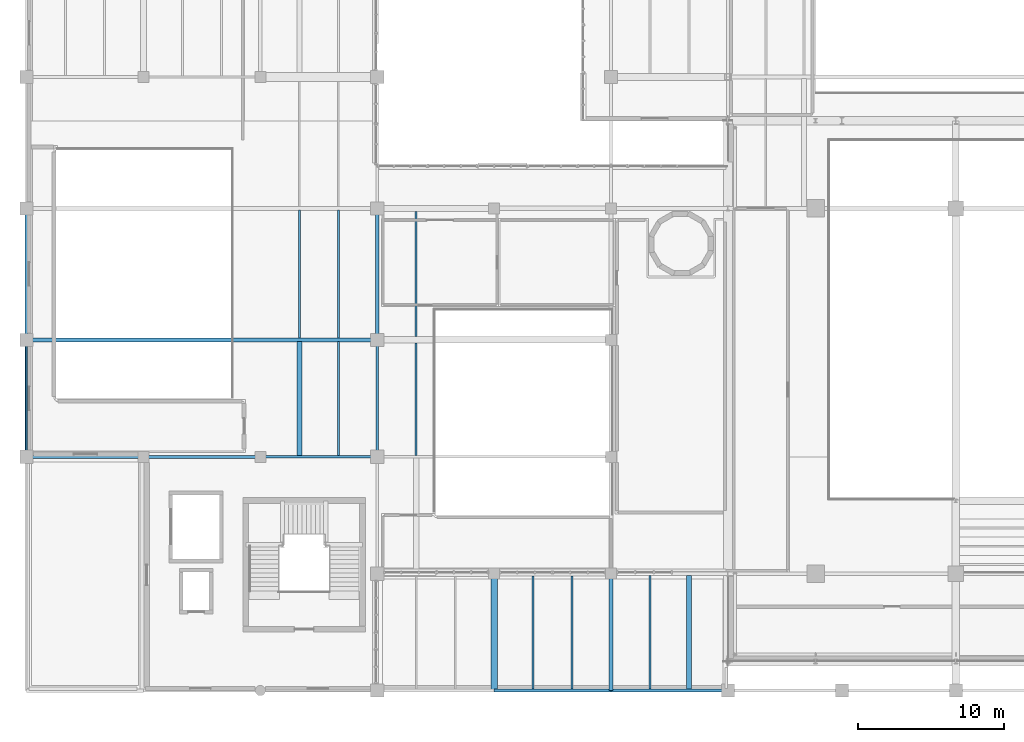
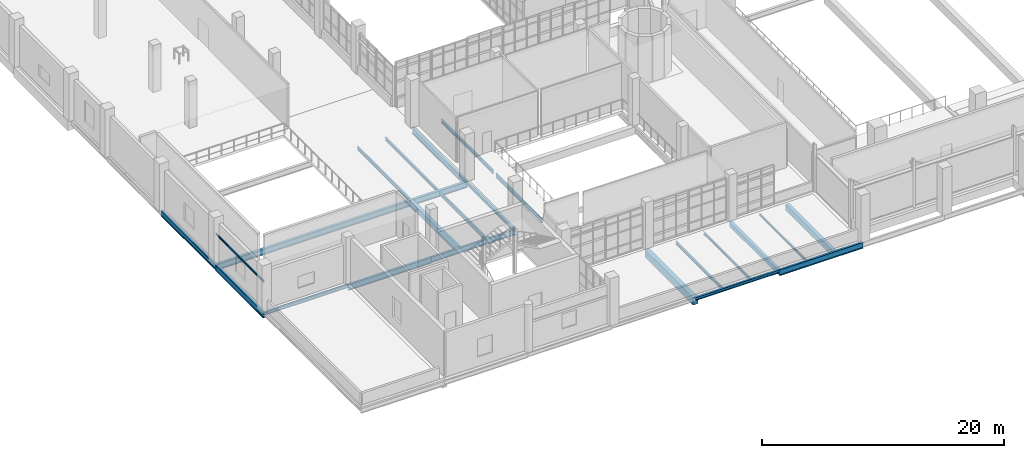
# One storey, part 16 of 102: 23 beams.
"""IFC4 building model written with IfcOpenShell, lengths in metres."""

from ifc_helpers import new_model, si_unit, derived_unit, direction, frame, origin, origin_2d, place, context, subcontext, project, spatial, rectangle, i_section, extrude, material, material_profile, profile_set, type_object, element, save


model = new_model("IFC4")

# Units and contexts
model_context = context("Model", 3, precision=1e-05, world=origin(), true_north=direction((0.0, 1.0)))
body_context = subcontext(model_context, "Body", "Model", "MODEL_VIEW")
ifc_project = project(units=[si_unit("LENGTHUNIT", "METRE"), si_unit("AREAUNIT", "SQUARE_METRE"), si_unit("VOLUMEUNIT", "CUBIC_METRE"), si_unit("PLANEANGLEUNIT", "RADIAN"), si_unit("MASSUNIT", "GRAM", prefix="KILO"), derived_unit("THERMALTRANSMITTANCEUNIT", [(si_unit("POWERUNIT", "WATT"), 1), (si_unit("LENGTHUNIT", "METRE"), -2), (si_unit("THERMODYNAMICTEMPERATUREUNIT", "KELVIN"), -1)])], contexts=[model_context])

# Site, building, storey
site_placement = place(None, origin())
site = spatial("IfcSite", under=ifc_project, at=site_placement, CompositionType="ELEMENT")
building_placement = place(site_placement, origin())
building = spatial("IfcBuilding", under=site, at=building_placement, Name="Nallur Shell Playhouse", CompositionType="ELEMENT")
storey_placement = place(building_placement, frame((0.0, 0.0, 15.0)))
storey = spatial("IfcBuildingStorey", under=building, at=storey_placement, Name="L04", CompositionType="ELEMENT", Elevation=15.0)

# Beams
ifc_material_1 = material(Name="Steel E250", Category="steel")
ifc_material_profile_1 = material_profile(ifc_material_1, i_section(OverallWidth=0.110107421875, OverallDepth=0.22509765625, WebThickness=0.006591796875, FlangeThickness=0.01171875, FilletRadius=0.011962890625, at=origin_2d()), Name="ISMB 225")
ifc_profile_set_1 = profile_set([ifc_material_profile_1], Name="Steel E250")
beam_type_1 = type_object("IfcBeamType", Name="BM-JST-ISMB225", PredefinedType="JOIST", material=ifc_profile_set_1)
beam_1_placement = place(storey_placement, frame((58.666748046875, 8.10302734375, -0.37255859375), z_axis=(0.0, 1.0, 0.0), x_axis=(-1.0, 0.0, 0.0)))
element("IfcBeam", 1, at=beam_1_placement, inside=storey, type_object=beam_type_1, Name="L04 secondary joist 7-A-905", PredefinedType="JOIST", context=body_context, shape_type="SweptSolid", body=[
    extrude(i_section(OverallWidth=0.110107421875, OverallDepth=0.22509765625, WebThickness=0.006591796875, FlangeThickness=0.01171875, FilletRadius=0.011962890625, at=origin_2d()), origin(), (0.0, 0.0, 1.0), 7.77392578125),
])
ifc_material_profile_2 = material_profile(ifc_material_1, i_section(OverallWidth=0.125, OverallDepth=0.25, WebThickness=0.0068359375, FlangeThickness=0.012451171875, FilletRadius=0.012939453125, at=origin_2d()), Name="ISMB 250")
ifc_profile_set_2 = profile_set([ifc_material_profile_2], Name="Steel E250")
beam_type_2 = type_object("IfcBeamType", Name="BM-JST-ISMB250", PredefinedType="JOIST", material=ifc_profile_set_2)
beam_2_placement = place(storey_placement, frame((53.333251953125, 8.097900390625, -0.385009765625), z_axis=(0.0, 1.0, 0.0), x_axis=(-1.0, 0.0, 0.0)))
element("IfcBeam", 2, at=beam_2_placement, inside=storey, type_object=beam_type_2, Name="L04 secondary joist 6-A-904", PredefinedType="JOIST", context=body_context, shape_type="SweptSolid", body=[
    extrude(i_section(OverallWidth=0.125, OverallDepth=0.25, WebThickness=0.0068359375, FlangeThickness=0.012451171875, FilletRadius=0.012939453125, at=origin_2d()), origin(), (0.0, 0.0, 1.0), 7.754150390625),
])
ifc_material_profile_3 = material_profile(ifc_material_1, i_section(OverallWidth=0.139892578125, OverallDepth=0.300048828125, WebThickness=0.0078125, FlangeThickness=0.01318359375, FilletRadius=0.013916015625, at=origin_2d()), Name="ISMB 300")
ifc_profile_set_3 = profile_set([ifc_material_profile_3], Name="Steel E250")
beam_type_3 = type_object("IfcBeamType", Name="BM-JST-ISMB300", PredefinedType="JOIST", material=ifc_profile_set_3)
beam_3_placement = place(storey_placement, frame((37.333251953125, 32.123046875, -0.409912109375), z_axis=(0.0, 1.0, 0.0), x_axis=(-1.0, 0.0, 0.0)))
element("IfcBeam", 3, at=beam_3_placement, inside=storey, type_object=beam_type_3, Name="L04 secondary joist 4-D-891", PredefinedType="JOIST", context=body_context, shape_type="SweptSolid", body=[
    extrude(i_section(OverallWidth=0.139892578125, OverallDepth=0.300048828125, WebThickness=0.0078125, FlangeThickness=0.01318359375, FilletRadius=0.013916015625, at=origin_2d()), origin(), (0.0, 0.0, 1.0), 8.75390625),
])
beam_4_placement = place(storey_placement, frame((50.666748046875, 8.097900390625, -0.409912109375), z_axis=(0.0, 1.0, 0.0), x_axis=(-1.0, 0.0, 0.0)))
element("IfcBeam", 4, at=beam_4_placement, inside=storey, type_object=beam_type_3, Name="L04 secondary joist 6-A-903", PredefinedType="JOIST", context=body_context, shape_type="SweptSolid", body=[
    extrude(i_section(OverallWidth=0.139892578125, OverallDepth=0.300048828125, WebThickness=0.0078125, FlangeThickness=0.01318359375, FilletRadius=0.013916015625, at=origin_2d()), origin(), (0.0, 0.0, 1.0), 7.754150390625),
])
ifc_material_profile_4 = material_profile(ifc_material_1, i_section(OverallWidth=0.139892578125, OverallDepth=0.35009765625, WebThickness=0.008056640625, FlangeThickness=0.01416015625, FilletRadius=0.013916015625, at=origin_2d()), Name="ISMB 350")
ifc_profile_set_4 = profile_set([ifc_material_profile_4], Name="Steel E250")
beam_type_4 = type_object("IfcBeamType", Name="BM-JST-ISMB350", PredefinedType="JOIST", material=ifc_profile_set_4)
beam_5_placement = place(storey_placement, frame((34.666748046875, 32.123046875, -0.43505859375), z_axis=(0.0, 1.0, 0.0), x_axis=(-1.0, 0.0, 0.0)))
element("IfcBeam", 5, at=beam_5_placement, inside=storey, type_object=beam_type_4, Name="L04 secondary joist 4-D-890", PredefinedType="JOIST", context=body_context, shape_type="SweptSolid", body=[
    extrude(i_section(OverallWidth=0.139892578125, OverallDepth=0.35009765625, WebThickness=0.008056640625, FlangeThickness=0.01416015625, FilletRadius=0.013916015625, at=origin_2d()), origin(), (0.0, 0.0, 1.0), 8.75390625),
])
beam_6_placement = place(storey_placement, frame((42.666748046875, 32.222900390625, -0.43505859375), z_axis=(0.0, 1.0, 0.0), x_axis=(-1.0, 0.0, 0.0)))
element("IfcBeam", 6, at=beam_6_placement, inside=storey, type_object=beam_type_4, Name="L04 secondary joist 5-D-902", PredefinedType="JOIST", context=body_context, shape_type="SweptSolid", body=[
    extrude(i_section(OverallWidth=0.139892578125, OverallDepth=0.35009765625, WebThickness=0.008056640625, FlangeThickness=0.01416015625, FilletRadius=0.013916015625, at=origin_2d()), origin(), (0.0, 0.0, 1.0), 8.5791015625),
])
ifc_material_profile_5 = material_profile(ifc_material_1, i_section(OverallWidth=0.139892578125, OverallDepth=0.39990234375, WebThickness=0.0087890625, FlangeThickness=0.01611328125, FilletRadius=0.013916015625, at=origin_2d()), Name="ISMB 400")
ifc_profile_set_5 = profile_set([ifc_material_profile_5], Name="Steel E250")
beam_type_5 = type_object("IfcBeamType", Name="BM-JST-ISMB400", PredefinedType="JOIST", material=ifc_profile_set_5)
beam_7_placement = place(storey_placement, frame((37.333251953125, 24.093017578125, -0.4599609375), z_axis=(0.0, 1.0, 0.0), x_axis=(-1.0, 0.0, 0.0)))
element("IfcBeam", 7, at=beam_7_placement, inside=storey, type_object=beam_type_5, Name="L04 secondary joist 4-C-889", PredefinedType="JOIST", context=body_context, shape_type="SweptSolid", body=[
    extrude(i_section(OverallWidth=0.139892578125, OverallDepth=0.39990234375, WebThickness=0.0087890625, FlangeThickness=0.01611328125, FilletRadius=0.013916015625, at=origin_2d()), origin(), (0.0, 0.0, 1.0), 7.783935546875),
])
beam_8_placement = place(storey_placement, frame((42.666748046875, 24.087890625, -0.4599609375), z_axis=(0.0, 1.0, 0.0), x_axis=(-1.0, 0.0, 0.0)))
element("IfcBeam", 8, at=beam_8_placement, inside=storey, type_object=beam_type_5, Name="L04 secondary joist 5-C-901", PredefinedType="JOIST", context=body_context, shape_type="SweptSolid", body=[
    extrude(i_section(OverallWidth=0.139892578125, OverallDepth=0.39990234375, WebThickness=0.0087890625, FlangeThickness=0.01611328125, FilletRadius=0.013916015625, at=origin_2d()), origin(), (0.0, 0.0, 1.0), 7.689208984375),
])
ifc_material_profile_6 = material_profile(ifc_material_1, i_section(OverallWidth=0.10009765625, OverallDepth=0.199951171875, WebThickness=0.005615234375, FlangeThickness=0.0107421875, FilletRadius=0.010986328125, at=origin_2d()), Name="ISMB 200")
ifc_profile_set_6 = profile_set([ifc_material_profile_6], Name="Steel E250")
beam_type_6 = type_object("IfcBeamType", Name="BM-LIN-ISMB200", PredefinedType="LINTEL", material=ifc_profile_set_6)
beam_9_placement = place(storey_placement, frame((16.0, 24.0, 2.800048828125), z_axis=(0.0, 1.0, 0.0), x_axis=(-1.0, 0.0, 0.0)))
element("IfcBeam", 9, at=beam_9_placement, inside=storey, type_object=beam_type_6, Name="L04 colonnade portal lintel 011", PredefinedType="LINTEL", context=body_context, shape_type="SweptSolid", body=[
    extrude(i_section(OverallWidth=0.10009765625, OverallDepth=0.199951171875, WebThickness=0.005615234375, FlangeThickness=0.0107421875, FilletRadius=0.010986328125, at=origin_2d()), origin(), (0.0, 0.0, 1.0), 8.0),
])
ifc_material_2 = material(Name="Concrete M30", Category="concrete")
ifc_material_profile_7 = material_profile(ifc_material_2, rectangle(XDim=0.35009765625, YDim=0.60009765625, at=origin_2d()), Name="RC 350x600")
ifc_profile_set_7 = profile_set([ifc_material_profile_7], Name="Concrete M30")
beam_type_7 = type_object("IfcBeamType", Name="BM-RC-350x600", PredefinedType="JOIST", material=ifc_profile_set_7)
beam_10_placement = place(storey_placement, frame((34.666748046875, 24.093017578125, -0.56005859375), z_axis=(0.0, 1.0, 0.0), x_axis=(-1.0, 0.0, 0.0)))
element("IfcBeam", 10, at=beam_10_placement, inside=storey, type_object=beam_type_7, Name="L04 secondary joist 4-C-888", PredefinedType="JOIST", context=body_context, shape_type="SweptSolid", body=[
    extrude(rectangle(XDim=0.35009765625, YDim=0.60009765625, at=origin_2d()), origin(), (0.0, 0.0, 1.0), 7.783935546875),
])
beam_11_placement = place(storey_placement, frame((61.333251953125, 8.10302734375, -0.56005859375), z_axis=(0.0, 1.0, 0.0), x_axis=(-1.0, 0.0, 0.0)))
element("IfcBeam", 11, at=beam_11_placement, inside=storey, type_object=beam_type_7, Name="L04 secondary joist 7-A-906", PredefinedType="JOIST", context=body_context, shape_type="SweptSolid", body=[
    extrude(rectangle(XDim=0.35009765625, YDim=0.60009765625, at=origin_2d()), origin(), (0.0, 0.0, 1.0), 7.77392578125),
])
ifc_material_3 = material(Name="Concrete M35", Category="concrete")
ifc_material_profile_8 = material_profile(ifc_material_3, rectangle(XDim=0.449951171875, YDim=0.75, at=origin_2d()), Name="RC 450x750")
ifc_profile_set_8 = profile_set([ifc_material_profile_8], Name="Concrete M35")
beam_type_8 = type_object("IfcBeamType", Name="BM-RC-450x750", PredefinedType="BEAM", material=ifc_profile_set_8)
beam_12_placement = place(storey_placement, frame((48.0, 8.0, -0.635009765625), z_axis=(0.0, 1.0, 0.0), x_axis=(-1.0, 0.0, 0.0)))
element("IfcBeam", 12, at=beam_12_placement, inside=storey, type_object=beam_type_8, Name="L04 girder Y-6-830", PredefinedType="BEAM", context=body_context, shape_type="SweptSolid", body=[
    extrude(rectangle(XDim=0.449951171875, YDim=0.75, at=origin_2d()), origin(), (0.0, 0.0, 1.0), 8.0),
])
ifc_material_profile_9 = material_profile(ifc_material_3, rectangle(XDim=0.300048828125, YDim=0.449951171875, at=origin_2d()), Name="RC 300x450")
ifc_profile_set_9 = profile_set([ifc_material_profile_9], Name="Concrete M35")
beam_type_9 = type_object("IfcBeamType", Name="BM-SPN-300x450", PredefinedType="SPANDREL", material=ifc_profile_set_9)
beam_13_placement = place(storey_placement, frame((56.0, 8.0, -0.485107421875), z_axis=(0.0, 1.0, 0.0), x_axis=(-1.0, 0.0, 0.0)))
element("IfcBeam", 13, at=beam_13_placement, inside=storey, type_object=beam_type_9, Name="L04 girder Y-7-832", PredefinedType="SPANDREL", context=body_context, shape_type="SweptSolid", body=[
    extrude(rectangle(XDim=0.300048828125, YDim=0.449951171875, at=origin_2d()), origin(), (0.0, 0.0, 1.0), 8.0),
])
ifc_material_4 = material(Name="Steel E350", Category="steel")
ifc_material_profile_10 = material_profile(ifc_material_4, i_section(OverallWidth=0.18994140625, OverallDepth=0.550048828125, WebThickness=0.01123046875, FlangeThickness=0.019287109375, FilletRadius=0.01806640625, at=origin_2d()), Name="ISMB 550")
ifc_profile_set_10 = profile_set([ifc_material_profile_10], Name="Steel E350")
beam_type_10 = type_object("IfcBeamType", Name="BM-ST-ISMB550", PredefinedType="BEAM", material=ifc_profile_set_10)
beam_14_placement = place(storey_placement, frame((32.0, 24.0, -0.534912109375), z_axis=(1.0, 0.0, 0.0), x_axis=(0.0, 1.0, 0.0)))
element("IfcBeam", 14, at=beam_14_placement, inside=storey, type_object=beam_type_10, Name="L04 girder X-C-761", PredefinedType="BEAM", context=body_context, shape_type="SweptSolid", body=[
    extrude(i_section(OverallWidth=0.18994140625, OverallDepth=0.550048828125, WebThickness=0.01123046875, FlangeThickness=0.019287109375, FilletRadius=0.01806640625, at=origin_2d()), origin(), (0.0, 0.0, 1.0), 8.0),
])
beam_15_placement = place(storey_placement, frame((16.0, 32.0, -0.534912109375), z_axis=(0.0, 1.0, 0.0), x_axis=(-1.0, 0.0, 0.0)))
element("IfcBeam", 15, at=beam_15_placement, inside=storey, type_object=beam_type_10, Name="L04 girder Y-2-809", PredefinedType="BEAM", context=body_context, shape_type="SweptSolid", body=[
    extrude(i_section(OverallWidth=0.18994140625, OverallDepth=0.550048828125, WebThickness=0.01123046875, FlangeThickness=0.019287109375, FilletRadius=0.01806640625, at=origin_2d()), origin(), (0.0, 0.0, 1.0), 9.0),
])
ifc_material_profile_11 = material_profile(ifc_material_4, i_section(OverallWidth=0.2099609375, OverallDepth=0.60009765625, WebThickness=0.011962890625, FlangeThickness=0.020751953125, FilletRadius=0.02001953125, at=origin_2d()), Name="ISMB 600")
ifc_profile_set_11 = profile_set([ifc_material_profile_11], Name="Steel E350")
beam_type_11 = type_object("IfcBeamType", Name="BM-ST-ISMB600", PredefinedType="BEAM", material=ifc_profile_set_11)
for number, where, z_axis, x_axis, name in (
    (16, (56.0, 8.0, -0.56005859375), (1.0, 0.0, 0.0), (0.0, 1.0, 0.0), "L04 girder X-A-744"),
    (17, (24.0, 24.0, -0.56005859375), (1.0, 0.0, 0.0), (0.0, 1.0, 0.0), "L04 girder X-C-760"),
    (18, (16.0, 24.0, -0.56005859375), (0.0, 1.0, 0.0), (-1.0, 0.0, 0.0), "L04 girder Y-2-808"),
):
    element("IfcBeam", number, at=place(storey_placement, frame(where, z_axis=z_axis, x_axis=x_axis)), inside=storey, type_object=beam_type_11, Name=name, PredefinedType="BEAM", context=body_context, shape_type="SweptSolid", body=[
        extrude(i_section(OverallWidth=0.2099609375, OverallDepth=0.60009765625, WebThickness=0.011962890625, FlangeThickness=0.020751953125, FilletRadius=0.02001953125, at=origin_2d()), origin(), (0.0, 0.0, 1.0), 8.0),
    ])
beam_16_placement = place(storey_placement, frame((40.0, 32.0, -0.56005859375), z_axis=(0.0, 1.0, 0.0), x_axis=(-1.0, 0.0, 0.0)))
element("IfcBeam", 19, at=beam_16_placement, inside=storey, type_object=beam_type_11, Name="L04 girder Y-5-824", PredefinedType="BEAM", context=body_context, shape_type="SweptSolid", body=[
    extrude(i_section(OverallWidth=0.2099609375, OverallDepth=0.60009765625, WebThickness=0.011962890625, FlangeThickness=0.020751953125, FilletRadius=0.02001953125, at=origin_2d()), origin(), (0.0, 0.0, 1.0), 9.0),
])
ifc_material_profile_12 = material_profile(ifc_material_1, i_section(OverallWidth=0.199951171875, OverallDepth=0.300048828125, WebThickness=0.00732421875, FlangeThickness=0.010009765625, FilletRadius=0.010986328125, at=origin_2d()), Name="ISWB 300")
ifc_profile_set_12 = profile_set([ifc_material_profile_12], Name="Steel E250")
beam_type_12 = type_object("IfcBeamType", Name="BM-ST-ISWB300", PredefinedType="BEAM", material=ifc_profile_set_12)
for number, where, z_axis, x_axis, name in (
    (20, (48.0, 8.0, -0.409912109375), (1.0, 0.0, 0.0), (0.0, 1.0, 0.0), "L04 girder X-A-743"),
    (21, (16.0, 24.0, -0.409912109375), (1.0, 0.0, 0.0), (0.0, 1.0, 0.0), "L04 girder X-C-759"),
    (22, (40.0, 24.0, -0.409912109375), (0.0, 1.0, 0.0), (-1.0, 0.0, 0.0), "L04 girder Y-5-823"),
):
    element("IfcBeam", number, at=place(storey_placement, frame(where, z_axis=z_axis, x_axis=x_axis)), inside=storey, type_object=beam_type_12, Name=name, PredefinedType="BEAM", context=body_context, shape_type="SweptSolid", body=[
        extrude(i_section(OverallWidth=0.199951171875, OverallDepth=0.300048828125, WebThickness=0.00732421875, FlangeThickness=0.010009765625, FilletRadius=0.010986328125, at=origin_2d()), origin(), (0.0, 0.0, 1.0), 8.0),
    ])
ifc_material_profile_13 = material_profile(ifc_material_4, i_section(OverallWidth=0.25, OverallDepth=0.60009765625, WebThickness=0.01171875, FlangeThickness=0.023681640625, FilletRadius=0.01708984375, at=origin_2d()), Name="ISWB 600")
ifc_profile_set_13 = profile_set([ifc_material_profile_13], Name="Steel E350")
beam_type_13 = type_object("IfcBeamType", Name="BM-ST-ISWB600", PredefinedType="BEAM", material=ifc_profile_set_13)
beam_17_placement = place(storey_placement, frame((16.0, 32.0, -0.56005859375), z_axis=(1.0, 0.0, 0.0), x_axis=(0.0, 1.0, 0.0)))
element("IfcBeam", 23, at=beam_17_placement, inside=storey, type_object=beam_type_13, Name="L04 long-span hall girder Y=32.0-873", PredefinedType="BEAM", context=body_context, shape_type="SweptSolid", body=[
    extrude(i_section(OverallWidth=0.25, OverallDepth=0.60009765625, WebThickness=0.01171875, FlangeThickness=0.023681640625, FilletRadius=0.01708984375, at=origin_2d()), origin(), (0.0, 0.0, 1.0), 24.0),
])

save(model, "model.ifc")
